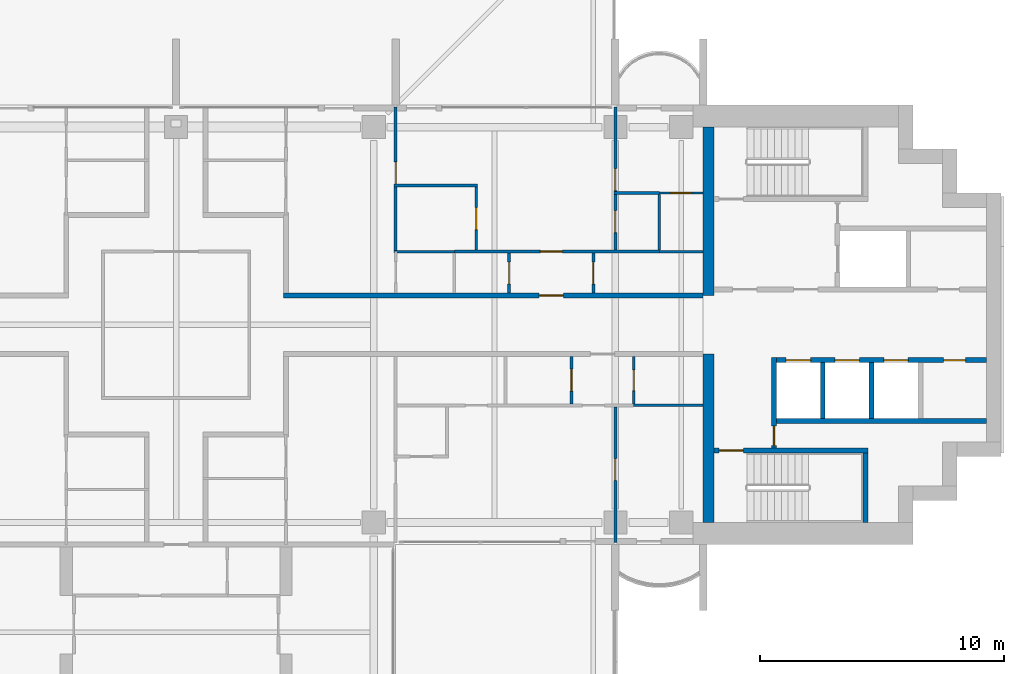
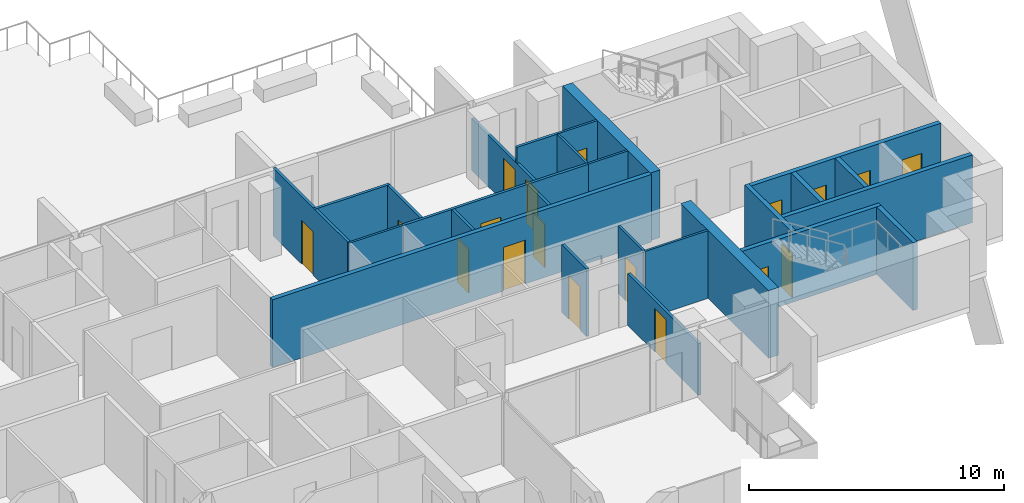
# One storey, part 12 of 18: 26 walls, 18 doors, 18 openings.
"""IFC4 building model written with IfcOpenShell, lengths in metres."""

import ifcopenshell
import ifcopenshell.guid

model = None  # the IFC model being written
_history = None  # IfcOwnerHistory: only IFC2X3 demands one
_inside = {}  # id of a spatial element -> (the spatial element, [elements in it])
_under = {}  # id of a project, library or spatial element -> (it, [spatial elements below it])
_declared = {}  # id of a project -> (the project, [libraries it declares])
_typed = {}  # id of a type object -> (the type object, [elements of that type])
_made_of = {}  # id of a material, layer set ... -> (it, [elements and type objects made of it])


def new_model(schema):
    """Start an empty IFC model of exactly this schema.

    Asked for "IFC4X3", IfcOpenShell would pick the latest addendum, in which some entities
    have other attributes; the version numbers below select the first issue.
    IFC2X3 requires an IfcOwnerHistory on every rooted entity: one is made here for all.
    """
    global model, _history
    if schema == "IFC4X3":
        model = ifcopenshell.file(schema_version=(4, 3, 0, 0))
    else:
        model = ifcopenshell.file(schema=schema)
    _inside.clear()
    _under.clear()
    _declared.clear()
    _typed.clear()
    _made_of.clear()
    _history = None
    if model.schema == "IFC2X3":
        org = make("IfcOrganization", Name="unknown")
        user = make(
            "IfcPersonAndOrganization",
            ThePerson=make("IfcPerson", FamilyName="unknown"),
            TheOrganization=org,
        )
        app = make(
            "IfcApplication",
            ApplicationDeveloper=org,
            Version="unknown",
            ApplicationFullName="unknown",
            ApplicationIdentifier="unknown",
        )
        _history = make(
            "IfcOwnerHistory",
            OwningUser=user,
            OwningApplication=app,
            ChangeAction="ADDED",
            CreationDate=0,
        )
    return model


def make(cls, **values):
    """One entity of the class cls with the attributes given. An attribute that is None is left unset."""
    return model.create_entity(
        cls, **{name: value for name, value in values.items() if value is not None}
    )


def rooted(cls, **values):
    """An entity with a GlobalId (a new one), such as an element, a storey or a relation."""
    return make(cls, GlobalId=ifcopenshell.guid.new(), OwnerHistory=_history, **values)


def si_unit(unit_type, name, prefix=None):
    """IfcSIUnit, for example si_unit("LENGTHUNIT", "METRE", prefix="MILLI")."""
    return make("IfcSIUnit", UnitType=unit_type, Prefix=prefix, Name=name)


def assignment(units):
    """IfcUnitAssignment: the units of a project."""
    return None if units is None else make("IfcUnitAssignment", Units=units)


def point(xyz):
    """IfcCartesianPoint."""
    return None if xyz is None else make("IfcCartesianPoint", Coordinates=xyz)


def direction(xyz):
    """IfcDirection."""
    return None if xyz is None else make("IfcDirection", DirectionRatios=xyz)


def frame(location, z_axis=None, x_axis=None):
    """IfcAxis2Placement3D, a coordinate frame: its origin and axes. An axis left out is left unset."""
    return make(
        "IfcAxis2Placement3D",
        Location=point(location),
        Axis=direction(z_axis),
        RefDirection=direction(x_axis),
    )


def frame_2d(location, x_axis=None):
    """IfcAxis2Placement2D, a coordinate frame in the plane: its origin and x axis."""
    return make(
        "IfcAxis2Placement2D", Location=point(location), RefDirection=direction(x_axis)
    )


def origin():
    """The frame at (0, 0, 0) with its axes left unset."""
    return frame((0.0, 0.0, 0.0))


def place(relative_to, where):
    """IfcLocalPlacement: puts the frame where relative to a parent placement (None: the world)."""
    return make(
        "IfcLocalPlacement", PlacementRelTo=relative_to, RelativePlacement=where
    )


def context(
    kind, dimensions, precision=None, world=None, true_north=None, identifier=None
):
    """IfcGeometricRepresentationContext, for example the 3D "Model" context."""
    return make(
        "IfcGeometricRepresentationContext",
        ContextIdentifier=identifier,
        ContextType=kind,
        CoordinateSpaceDimension=dimensions,
        Precision=precision,
        WorldCoordinateSystem=world,
        TrueNorth=true_north,
    )


def subcontext(parent, identifier, kind, view, scale=None):
    """IfcGeometricRepresentationSubContext, for example "Body" below "Model"."""
    return make(
        "IfcGeometricRepresentationSubContext",
        ContextIdentifier=identifier,
        ContextType=kind,
        ParentContext=parent,
        TargetScale=scale,
        TargetView=view,
    )


def project(units=None, contexts=None):
    """IfcProject with its units and contexts."""
    return rooted(
        "IfcProject",
        Name="project",
        RepresentationContexts=contexts,
        UnitsInContext=assignment(units),
    )


def spatial(cls, under=None, at=None, **own):
    """A site, building, storey or space (cls), placed at a placement, below another one or the project."""
    s = rooted(cls, ObjectPlacement=at, **own)
    if under is not None:
        _under.setdefault(under.id(), (under, []))[1].append(s)
    return s


def profile(cls, at=None, kind="AREA", **sizes):
    """A parametric profile (cls). Its sizes go by their IFC names, for example OverallWidth=200.0."""
    return make(cls, ProfileType=kind, Position=at, **sizes)


def rectangle(**sizes):
    """IfcRectangleProfileDef."""
    return profile("IfcRectangleProfileDef", **sizes)


def extrude(swept, where, along, depth):
    """IfcExtrudedAreaSolid: the profile swept, set in the frame where, extruded along a direction by depth."""
    return make(
        "IfcExtrudedAreaSolid",
        SweptArea=swept,
        Position=where,
        ExtrudedDirection=direction(along),
        Depth=depth,
    )


def shape(context_of_items, identifier, shape_type, items):
    """IfcShapeRepresentation: the items that make up one representation, for example the "Body"."""
    return make(
        "IfcShapeRepresentation",
        ContextOfItems=context_of_items,
        RepresentationIdentifier=identifier,
        RepresentationType=shape_type,
        Items=items,
    )


def material(Name=None, Category=None):
    """IfcMaterial."""
    return make("IfcMaterial", Name=Name, Category=Category)


def layer(
    of_material, thickness, ventilated=None, Name=None, Category=None, Priority=None
):
    """IfcMaterialLayer: one layer of a wall or slab, of a material (None: an air gap)."""
    return make(
        "IfcMaterialLayer",
        Material=of_material,
        LayerThickness=thickness,
        IsVentilated=ventilated,
        Name=Name,
        Category=Category,
        Priority=Priority,
    )


def layer_set(layers, Name=None):
    """IfcMaterialLayerSet."""
    return make("IfcMaterialLayerSet", MaterialLayers=layers, LayerSetName=Name)


def made_of(thing, what):
    """Note that an element or type object is made of a material, layer set ...; save() writes the relation."""
    if what is not None:
        _made_of.setdefault(what.id(), (what, []))[1].append(thing)
    return thing


def type_object(cls, material=None, **own):
    """A type object (cls), such as IfcWallType, which elements share."""
    return made_of(rooted(cls, **own), material)


def element(
    cls,
    number,
    at=None,
    inside=None,
    cuts=None,
    type_object=None,
    material=None,
    context=None,
    identifier="Body",
    shape_type=None,
    held_by="IfcProductDefinitionShape",
    body=None,
    shapes=None,
    **own,
):
    """One element of the class cls, such as IfcWall. Its Tag is "e" and its number.

    at: its placement. inside: the storey or other place that contains it. cuts: it is an
    opening in that element (IfcRelVoidsElement). A single representation is given by context,
    identifier, shape_type and body (its items); several are given by shapes. held_by: the class
    of the entity that holds the representations. save() writes the other relations.
    """
    e = rooted(cls, Tag="e%d" % number, ObjectPlacement=at, **own)
    if body is not None:
        shapes = [shape(context, identifier, shape_type, body)]
    if shapes is not None:
        e.Representation = make(held_by, Representations=shapes)
    if inside is not None:
        _inside.setdefault(inside.id(), (inside, []))[1].append(e)
    if cuts is not None:
        rooted(
            "IfcRelVoidsElement", RelatingBuildingElement=cuts, RelatedOpeningElement=e
        )
    if type_object is not None:
        _typed.setdefault(type_object.id(), (type_object, []))[1].append(e)
    return made_of(e, material)


def fill(opening, filler):
    """IfcRelFillsElement: the door or window that sits in an opening."""
    return rooted(
        "IfcRelFillsElement",
        RelatingOpeningElement=opening,
        RelatedBuildingElement=filler,
    )


def aggregate(whole, parts):
    """IfcRelAggregates: a whole, such as a stair, and the parts it consists of."""
    return rooted("IfcRelAggregates", RelatingObject=whole, RelatedObjects=parts)


def save(model, path):
    """Write the relations noted so far, then the file.

    IfcRelAggregates (storeys below a building ...), IfcRelContainedInSpatialStructure (elements
    in a storey), IfcRelDefinesByType, IfcRelAssociatesMaterial and IfcRelDeclares: one each for
    every whole, place, type object, material and project.
    """
    for whole, parts in _under.values():
        aggregate(whole, parts)
    for where, things in _inside.values():
        rooted(
            "IfcRelContainedInSpatialStructure",
            RelatedElements=things,
            RelatingStructure=where,
        )
    for kind, things in _typed.values():
        rooted("IfcRelDefinesByType", RelatedObjects=things, RelatingType=kind)
    for what, things in _made_of.values():
        rooted("IfcRelAssociatesMaterial", RelatedObjects=things, RelatingMaterial=what)
    for by, libraries in _declared.values():
        rooted("IfcRelDeclares", RelatingContext=by, RelatedDefinitions=libraries)
    model.write(path)


model = new_model("IFC4")

# Units and contexts
model_context = context("Model", 3, precision=1e-05, world=origin(), true_north=direction((0.0, 1.0)))
body_context = subcontext(model_context, "Body", "Model", "MODEL_VIEW")
ifc_project = project(units=[si_unit("LENGTHUNIT", "METRE"), si_unit("AREAUNIT", "SQUARE_METRE"), si_unit("VOLUMEUNIT", "CUBIC_METRE"), si_unit("PLANEANGLEUNIT", "RADIAN"), si_unit("MASSUNIT", "GRAM", prefix="KILO")], contexts=[model_context])

# Site, building, storey
site_placement = place(None, origin())
site = spatial("IfcSite", under=ifc_project, at=site_placement, CompositionType="ELEMENT")
building_placement = place(site_placement, origin())
building = spatial("IfcBuilding", under=site, at=building_placement, Name="Perihelion Cross Residences", CompositionType="ELEMENT")
storey_placement = place(building_placement, frame((0.0, 0.0, 166.60009765625)))
storey = spatial("IfcBuildingStorey", under=building, at=storey_placement, Name="L40", CompositionType="ELEMENT", Elevation=166.60009765625)

# Wall, opening, door
ifc_material_1 = material(Name="Plasterboard partition")
ifc_layer_1 = layer(ifc_material_1, 0.199951171875)
ifc_layer_set_1 = layer_set([ifc_layer_1], Name="Apartment separation wall 200")
wall_type_1 = type_object("IfcWallType", Name="Apartment separation wall 200", PredefinedType="PARTITIONING", material=ifc_layer_set_1)
wall_1_placement = place(storey_placement, frame((4.39990234375, 1.199951171875, 0.0), z_axis=(0.0, 0.0, 1.0), x_axis=(1.0, 0.0, 0.0)))
wall_1 = element("IfcWall", 1, at=wall_1_placement, inside=storey, type_object=wall_type_1, Name="Partition L40 W005", PredefinedType="PARTITIONING", context=body_context, shape_type="SweptSolid", body=[
    extrude(rectangle(XDim=17.2001953125, YDim=0.199951171875, at=frame_2d((8.60009765625, 0.0))), origin(), (0.0, 0.0, 1.0), 3.25),
])
opening_1_placement = place(wall_1_placement, frame((10.47509765625, 0.0, 0.0)))
opening_1 = element("IfcOpeningElement", 2, at=opening_1_placement, cuts=wall_1, Name="Opening L40.A45", PredefinedType="OPENING", context=body_context, shape_type="SweptSolid", body=[
    extrude(rectangle(XDim=1.0, YDim=2.10009765625, at=frame_2d((0.5, 1.050048828125))), frame((0.0, 0.10986328125, 0.0), z_axis=(0.0, -1.0, 0.0), x_axis=(1.0, 0.0, 0.0)), (0.0, 0.0, 1.0), 0.219970703125),
])
ifc_material_2 = material(Name="Timber door leaf", Category="wood")
door_type_1 = type_object("IfcDoorType", Name="Flat entrance door 1000 x 2100", OperationType="SINGLE_SWING_LEFT", PredefinedType="DOOR", material=ifc_material_2)
door_1_placement = place(opening_1_placement, origin())
door_1 = element("IfcDoor", 3, at=door_1_placement, inside=storey, type_object=door_type_1, Name="Door L40.A45", OperationType="SINGLE_SWING_RIGHT", OverallHeight=2.10009765625, OverallWidth=1.0, PredefinedType="DOOR", context=body_context, shape_type="SweptSolid", body=[
    extrude(rectangle(XDim=1.0, YDim=2.10009765625, at=frame_2d((0.5, 1.050048828125))), frame((0.0, 0.02490234375, 0.0), z_axis=(0.0, -1.0, 0.0), x_axis=(1.0, 0.0, 0.0)), (0.0, 0.0, 1.0), 0.050048828125),
])
fill(opening_1, door_1)

# Walls
ifc_material_3 = material(Name="Concrete C60/75", Category="concrete")
ifc_layer_2 = layer(ifc_material_3, 0.449951171875)
ifc_layer_set_2 = layer_set([ifc_layer_2], Name="Core wall, inner 450")
wall_type_2 = type_object("IfcWallType", Name="Core wall, inner 450", PredefinedType="SHEAR", material=ifc_layer_set_2)
for number, where, z_axis, x_axis, name in (
    (4, (21.824951171875, -8.10009765625, 0.0), (0.0, 0.0, 1.0), (0.0, 1.0, 0.0), "East core core wall, inner"),
    (5, (21.824951171875, 1.199951171875, 0.0), (0.0, 0.0, 1.0), (0.0, 1.0, 0.0), "East core core wall, inner"),
):
    element("IfcWall", number, at=place(storey_placement, frame(where, z_axis=z_axis, x_axis=x_axis)), inside=storey, type_object=wall_type_2, Name=name, PredefinedType="SHEAR", context=body_context, shape_type="SweptSolid", body=[
        extrude(rectangle(XDim=6.900146484375, YDim=0.449951171875, at=frame_2d((3.4501953125, 0.0))), origin(), (0.0, 0.0, 1.0), 3.25),
    ])

# Wall, opening, door
ifc_material_4 = material(Name="Concrete C50/60", Category="concrete")
ifc_layer_3 = layer(ifc_material_4, 0.199951171875)
ifc_layer_set_3 = layer_set([ifc_layer_3], Name="Lobby wall 200")
wall_type_3 = type_object("IfcWallType", Name="Lobby wall 200", PredefinedType="SOLIDWALL", material=ifc_layer_set_3)
wall_2_placement = place(storey_placement, frame((24.5, -5.050048828125, 0.0), z_axis=(0.0, 0.0, 1.0), x_axis=(0.0, 1.0, 0.0)))
wall_2 = element("IfcWall", 6, at=wall_2_placement, inside=storey, type_object=wall_type_3, Name="East core lobby wall", PredefinedType="SOLIDWALL", context=body_context, shape_type="SweptSolid", body=[
    extrude(rectangle(XDim=3.699951171875, YDim=0.199951171875, at=frame_2d((1.85009765625, 0.0))), origin(), (0.0, 0.0, 1.0), 3.25),
])
opening_2_placement = place(wall_2_placement, frame((0.10009765625, 0.0, 0.0)))
opening_2 = element("IfcOpeningElement", 7, at=opening_2_placement, cuts=wall_2, Name="Opening L40.C08", PredefinedType="OPENING", context=body_context, shape_type="SweptSolid", body=[
    extrude(rectangle(XDim=0.800048828125, YDim=2.10009765625, at=frame_2d((0.39990234375, 1.050048828125))), frame((0.0, 0.10986328125, 0.0), z_axis=(0.0, -1.0, 0.0), x_axis=(1.0, 0.0, 0.0)), (0.0, 0.0, 1.0), 0.219970703125),
])
ifc_material_5 = material(Name="Steel, powder coated", Category="steel")
door_type_2 = type_object("IfcDoorType", Name="Riser door 800", OperationType="SINGLE_SWING_LEFT", PredefinedType="DOOR", material=ifc_material_5)
door_2_placement = place(opening_2_placement, origin())
door_2 = element("IfcDoor", 8, at=door_2_placement, inside=storey, type_object=door_type_2, Name="East core riser door", OperationType="SINGLE_SWING_LEFT", OverallHeight=2.10009765625, OverallWidth=0.800048828125, PredefinedType="DOOR", context=body_context, shape_type="SweptSolid", body=[
    extrude(rectangle(XDim=0.800048828125, YDim=2.10009765625, at=frame_2d((0.39990234375, 1.050048828125))), frame((0.0, 0.02490234375, 0.0), z_axis=(0.0, -1.0, 0.0), x_axis=(1.0, 0.0, 0.0)), (0.0, 0.0, 1.0), 0.050048828125),
])
fill(opening_2, door_2)

ifc_material_6 = material(Name="Plasterboard partition")
ifc_layer_4 = layer(ifc_material_6, 0.1201171875)
ifc_layer_set_4 = layer_set([ifc_layer_4], Name="Partition wall 120")
wall_type_4 = type_object("IfcWallType", Name="Partition wall 120", PredefinedType="PARTITIONING", material=ifc_layer_set_4)
wall_3_placement = place(storey_placement, frame((13.64990234375, 2.93994140625, 0.0), z_axis=(0.0, 0.0, 1.0), x_axis=(0.0, -1.0, 0.0)))
wall_3 = element("IfcWall", 9, at=wall_3_placement, inside=storey, type_object=wall_type_4, Name="Partition L40 W025", PredefinedType="PARTITIONING", context=body_context, shape_type="SweptSolid", body=[
    extrude(rectangle(XDim=1.639892578125, YDim=0.1201171875, at=frame_2d((0.81982421875, 0.0))), origin(), (0.0, 0.0, 1.0), 3.25),
])
opening_3_placement = place(wall_3_placement, frame((0.3701171875, 0.0, 0.0)))
opening_3 = element("IfcOpeningElement", 10, at=opening_3_placement, cuts=wall_3, Name="Opening L40.A03", PredefinedType="OPENING", context=body_context, shape_type="SweptSolid", body=[
    extrude(rectangle(XDim=0.89990234375, YDim=2.10009765625, at=frame_2d((0.449951171875, 1.050048828125))), frame((0.0, 0.070068359375, 0.0), z_axis=(0.0, -1.0, 0.0), x_axis=(1.0, 0.0, 0.0)), (0.0, 0.0, 1.0), 0.14013671875),
])
ifc_material_7 = material(Name="Timber door leaf", Category="wood")
door_type_3 = type_object("IfcDoorType", Name="Interior room door 900 x 2100", OperationType="SINGLE_SWING_LEFT", PredefinedType="DOOR", material=ifc_material_7)
door_3_placement = place(opening_3_placement, origin())
door_3 = element("IfcDoor", 11, at=door_3_placement, inside=storey, type_object=door_type_3, Name="Door L40.A03", OperationType="SINGLE_SWING_RIGHT", OverallHeight=2.10009765625, OverallWidth=0.89990234375, PredefinedType="DOOR", context=body_context, shape_type="SweptSolid", body=[
    extrude(rectangle(XDim=0.89990234375, YDim=2.10009765625, at=frame_2d((0.449951171875, 1.050048828125))), frame((0.0, 0.02490234375, 0.0), z_axis=(0.0, -1.0, 0.0), x_axis=(1.0, 0.0, 0.0)), (0.0, 0.0, 1.0), 0.050048828125),
])
fill(opening_3, door_3)

wall_4_placement = place(storey_placement, frame((11.39990234375, 3.0, 0.0), z_axis=(0.0, 0.0, 1.0), x_axis=(1.0, 0.0, 0.0)))
wall_4 = element("IfcWall", 12, at=wall_4_placement, inside=storey, type_object=wall_type_4, Name="Partition L40 W026", PredefinedType="PARTITIONING", context=body_context, shape_type="SweptSolid", body=[
    extrude(rectangle(XDim=8.400146484375, YDim=0.1201171875, at=frame_2d((4.2001953125, 0.0))), origin(), (0.0, 0.0, 1.0), 3.25),
])
opening_4_placement = place(wall_4_placement, frame((3.52490234375, 0.0, 0.0)))
opening_4 = element("IfcOpeningElement", 13, at=opening_4_placement, cuts=wall_4, Name="Opening L40.A07", PredefinedType="OPENING", context=body_context, shape_type="SweptSolid", body=[
    extrude(rectangle(XDim=0.89990234375, YDim=2.10009765625, at=frame_2d((0.449951171875, 1.050048828125))), frame((0.0, 0.070068359375, 0.0), z_axis=(0.0, -1.0, 0.0), x_axis=(1.0, 0.0, 0.0)), (0.0, 0.0, 1.0), 0.14013671875),
])
door_4_placement = place(opening_4_placement, origin())
door_4 = element("IfcDoor", 14, at=door_4_placement, inside=storey, type_object=door_type_3, Name="Door L40.A07", OperationType="SINGLE_SWING_LEFT", OverallHeight=2.10009765625, OverallWidth=0.89990234375, PredefinedType="DOOR", context=body_context, shape_type="SweptSolid", body=[
    extrude(rectangle(XDim=0.89990234375, YDim=2.10009765625, at=frame_2d((0.449951171875, 1.050048828125))), frame((0.0, 0.02490234375, 0.0), z_axis=(0.0, -1.0, 0.0), x_axis=(1.0, 0.0, 0.0)), (0.0, 0.0, 1.0), 0.050048828125),
])
fill(opening_4, door_4)

wall_5_placement = place(storey_placement, frame((17.10009765625, 2.93994140625, 0.0), z_axis=(0.0, 0.0, 1.0), x_axis=(0.0, -1.0, 0.0)))
wall_5 = element("IfcWall", 15, at=wall_5_placement, inside=storey, type_object=wall_type_4, Name="Partition L40 W027", PredefinedType="PARTITIONING", context=body_context, shape_type="SweptSolid", body=[
    extrude(rectangle(XDim=1.639892578125, YDim=0.1201171875, at=frame_2d((0.81982421875, 0.0))), origin(), (0.0, 0.0, 1.0), 3.25),
])
opening_5_placement = place(wall_5_placement, frame((0.3701171875, 0.0, 0.0)))
opening_5 = element("IfcOpeningElement", 16, at=opening_5_placement, cuts=wall_5, Name="Opening L40.A04", PredefinedType="OPENING", context=body_context, shape_type="SweptSolid", body=[
    extrude(rectangle(XDim=0.89990234375, YDim=2.10009765625, at=frame_2d((0.449951171875, 1.050048828125))), frame((0.0, 0.070068359375, 0.0), z_axis=(0.0, -1.0, 0.0), x_axis=(1.0, 0.0, 0.0)), (0.0, 0.0, 1.0), 0.14013671875),
])
door_5_placement = place(opening_5_placement, origin())
door_5 = element("IfcDoor", 17, at=door_5_placement, inside=storey, type_object=door_type_3, Name="Door L40.A04", OperationType="SINGLE_SWING_RIGHT", OverallHeight=2.10009765625, OverallWidth=0.89990234375, PredefinedType="DOOR", context=body_context, shape_type="SweptSolid", body=[
    extrude(rectangle(XDim=0.89990234375, YDim=2.10009765625, at=frame_2d((0.449951171875, 1.050048828125))), frame((0.0, 0.02490234375, 0.0), z_axis=(0.0, -1.0, 0.0), x_axis=(1.0, 0.0, 0.0)), (0.0, 0.0, 1.0), 0.050048828125),
])
fill(opening_5, door_5)

wall_6_placement = place(storey_placement, frame((12.300048828125, 3.06005859375, 0.0), z_axis=(0.0, 0.0, 1.0), x_axis=(0.0, 1.0, 0.0)))
wall_6 = element("IfcWall", 18, at=wall_6_placement, inside=storey, type_object=wall_type_4, Name="Partition L40 W029", PredefinedType="PARTITIONING", context=body_context, shape_type="SweptSolid", body=[
    extrude(rectangle(XDim=2.579833984375, YDim=0.1201171875, at=frame_2d((1.2900390625, 0.0))), origin(), (0.0, 0.0, 1.0), 3.25),
])
opening_6_placement = place(wall_6_placement, frame((0.840087890625, 0.0, 0.0)))
opening_6 = element("IfcOpeningElement", 19, at=opening_6_placement, cuts=wall_6, Name="Opening L40.A09", PredefinedType="OPENING", context=body_context, shape_type="SweptSolid", body=[
    extrude(rectangle(XDim=0.89990234375, YDim=2.10009765625, at=frame_2d((0.449951171875, 1.050048828125))), frame((0.0, 0.070068359375, 0.0), z_axis=(0.0, -1.0, 0.0), x_axis=(1.0, 0.0, 0.0)), (0.0, 0.0, 1.0), 0.14013671875),
])
door_6_placement = place(opening_6_placement, origin())
door_6 = element("IfcDoor", 20, at=door_6_placement, inside=storey, type_object=door_type_3, Name="Door L40.A09", OperationType="SINGLE_SWING_LEFT", OverallHeight=2.10009765625, OverallWidth=0.89990234375, PredefinedType="DOOR", context=body_context, shape_type="SweptSolid", body=[
    extrude(rectangle(XDim=0.89990234375, YDim=2.10009765625, at=frame_2d((0.449951171875, 1.050048828125))), frame((0.0, 0.02490234375, 0.0), z_axis=(0.0, -1.0, 0.0), x_axis=(1.0, 0.0, 0.0)), (0.0, 0.0, 1.0), 0.050048828125),
])
fill(opening_6, door_6)

# Wall
wall_7_placement = place(storey_placement, frame((12.360107421875, 5.699951171875, 0.0), z_axis=(0.0, 0.0, 1.0), x_axis=(-1.0, 0.0, 0.0)))
element("IfcWall", 21, at=wall_7_placement, inside=storey, type_object=wall_type_4, Name="Partition L40 W030", PredefinedType="PARTITIONING", context=body_context, shape_type="SweptSolid", body=[
    extrude(rectangle(XDim=3.420166015625, YDim=0.1201171875, at=frame_2d((1.7099609375, 0.0))), origin(), (0.0, 0.0, 1.0), 3.25),
])

# Wall, openings, doors
wall_8_placement = place(storey_placement, frame((18.0, 8.919921875, 0.0), z_axis=(0.0, 0.0, 1.0), x_axis=(0.0, -1.0, 0.0)))
wall_8 = element("IfcWall", 22, at=wall_8_placement, inside=storey, type_object=wall_type_4, Name="Partition L40 W031", PredefinedType="PARTITIONING", context=body_context, shape_type="SweptSolid", body=[
    extrude(rectangle(XDim=5.85986328125, YDim=0.1201171875, at=frame_2d((2.929931640625, 0.0))), origin(), (0.0, 0.0, 1.0), 2.47998046875),
])
opening_7_placement = place(wall_8_placement, frame((2.52001953125, 0.0, 0.0)))
opening_7 = element("IfcOpeningElement", 23, at=opening_7_placement, cuts=wall_8, Name="Opening L40.A02", PredefinedType="OPENING", context=body_context, shape_type="SweptSolid", body=[
    extrude(rectangle(XDim=0.89990234375, YDim=2.10009765625, at=frame_2d((0.449951171875, 1.050048828125))), frame((0.0, 0.070068359375, 0.0), z_axis=(0.0, -1.0, 0.0), x_axis=(1.0, 0.0, 0.0)), (0.0, 0.0, 1.0), 0.14013671875),
])
opening_8_placement = place(wall_8_placement, frame((4.239990234375, 0.0, 0.0)))
opening_8 = element("IfcOpeningElement", 24, at=opening_8_placement, cuts=wall_8, Name="Opening L40.A05", PredefinedType="OPENING", context=body_context, shape_type="SweptSolid", body=[
    extrude(rectangle(XDim=0.89990234375, YDim=2.10009765625, at=frame_2d((0.449951171875, 1.050048828125))), frame((0.0, 0.070068359375, 0.0), z_axis=(0.0, -1.0, 0.0), x_axis=(1.0, 0.0, 0.0)), (0.0, 0.0, 1.0), 0.14013671875),
])
door_7_placement = place(opening_7_placement, origin())
door_7 = element("IfcDoor", 25, at=door_7_placement, inside=storey, type_object=door_type_3, Name="Door L40.A02", OperationType="SINGLE_SWING_LEFT", OverallHeight=2.10009765625, OverallWidth=0.89990234375, PredefinedType="DOOR", context=body_context, shape_type="SweptSolid", body=[
    extrude(rectangle(XDim=0.89990234375, YDim=2.10009765625, at=frame_2d((0.449951171875, 1.050048828125))), frame((0.0, 0.02490234375, 0.0), z_axis=(0.0, -1.0, 0.0), x_axis=(1.0, 0.0, 0.0)), (0.0, 0.0, 1.0), 0.050048828125),
])
fill(opening_7, door_7)
door_8_placement = place(opening_8_placement, origin())
door_8 = element("IfcDoor", 26, at=door_8_placement, inside=storey, type_object=door_type_3, Name="Door L40.A05", OperationType="SINGLE_SWING_RIGHT", OverallHeight=2.10009765625, OverallWidth=0.89990234375, PredefinedType="DOOR", context=body_context, shape_type="SweptSolid", body=[
    extrude(rectangle(XDim=0.89990234375, YDim=2.10009765625, at=frame_2d((0.449951171875, 1.050048828125))), frame((0.0, 0.02490234375, 0.0), z_axis=(0.0, -1.0, 0.0), x_axis=(1.0, 0.0, 0.0)), (0.0, 0.0, 1.0), 0.050048828125),
])
fill(opening_8, door_8)

# Wall, opening, door
wall_9_placement = place(storey_placement, frame((9.0, 3.0, 0.0), z_axis=(0.0, 0.0, 1.0), x_axis=(0.0, 1.0, 0.0)))
wall_9 = element("IfcWall", 27, at=wall_9_placement, inside=storey, type_object=wall_type_4, Name="Partition L40 W032", PredefinedType="PARTITIONING", context=body_context, shape_type="SweptSolid", body=[
    extrude(rectangle(XDim=5.919921875, YDim=0.1201171875, at=frame_2d((2.9599609375, 0.0))), origin(), (0.0, 0.0, 1.0), 3.25),
])
opening_9_placement = place(wall_9_placement, frame((2.77001953125, 0.0, 0.0)))
opening_9 = element("IfcOpeningElement", 28, at=opening_9_placement, cuts=wall_9, Name="Opening L40.A08", PredefinedType="OPENING", context=body_context, shape_type="SweptSolid", body=[
    extrude(rectangle(XDim=0.89990234375, YDim=2.10009765625, at=frame_2d((0.449951171875, 1.050048828125))), frame((0.0, 0.070068359375, 0.0), z_axis=(0.0, -1.0, 0.0), x_axis=(1.0, 0.0, 0.0)), (0.0, 0.0, 1.0), 0.14013671875),
])
door_9_placement = place(opening_9_placement, origin())
door_9 = element("IfcDoor", 29, at=door_9_placement, inside=storey, type_object=door_type_3, Name="Door L40.A08", OperationType="SINGLE_SWING_RIGHT", OverallHeight=2.10009765625, OverallWidth=0.89990234375, PredefinedType="DOOR", context=body_context, shape_type="SweptSolid", body=[
    extrude(rectangle(XDim=0.89990234375, YDim=2.10009765625, at=frame_2d((0.449951171875, 1.050048828125))), frame((0.0, 0.02490234375, 0.0), z_axis=(0.0, -1.0, 0.0), x_axis=(1.0, 0.0, 0.0)), (0.0, 0.0, 1.0), 0.050048828125),
])
fill(opening_9, door_9)

# Wall
wall_10_placement = place(storey_placement, frame((17.93994140625, 5.39990234375, 0.0), z_axis=(0.0, 0.0, 1.0), x_axis=(1.0, 0.0, 0.0)))
element("IfcWall", 30, at=wall_10_placement, inside=storey, type_object=wall_type_4, Name="Partition L40 W034", PredefinedType="PARTITIONING", context=body_context, shape_type="SweptSolid", body=[
    extrude(rectangle(XDim=1.860107421875, YDim=0.1201171875, at=frame_2d((0.93017578125, 0.0))), origin(), (0.0, 0.0, 1.0), 3.25),
])

# Wall, opening, door
wall_11_placement = place(storey_placement, frame((16.199951171875, -1.300048828125, 0.0), z_axis=(0.0, 0.0, 1.0), x_axis=(0.0, -1.0, 0.0)))
wall_11 = element("IfcWall", 31, at=wall_11_placement, inside=storey, type_object=wall_type_4, Name="Partition L40 W042", PredefinedType="PARTITIONING", context=body_context, shape_type="SweptSolid", body=[
    extrude(rectangle(XDim=1.93994140625, YDim=0.1201171875, at=frame_2d((0.969970703125, 0.0))), origin(), (0.0, 0.0, 1.0), 3.25),
])
opening_10_placement = place(wall_11_placement, frame((0.52001953125, 0.0, 0.0)))
opening_10 = element("IfcOpeningElement", 32, at=opening_10_placement, cuts=wall_11, Name="Opening L40.A15", PredefinedType="OPENING", context=body_context, shape_type="SweptSolid", body=[
    extrude(rectangle(XDim=0.89990234375, YDim=2.10009765625, at=frame_2d((0.449951171875, 1.050048828125))), frame((0.0, 0.070068359375, 0.0), z_axis=(0.0, -1.0, 0.0), x_axis=(1.0, 0.0, 0.0)), (0.0, 0.0, 1.0), 0.14013671875),
])
door_10_placement = place(opening_10_placement, origin())
door_10 = element("IfcDoor", 33, at=door_10_placement, inside=storey, type_object=door_type_3, Name="Door L40.A15", OperationType="SINGLE_SWING_RIGHT", OverallHeight=2.10009765625, OverallWidth=0.89990234375, PredefinedType="DOOR", context=body_context, shape_type="SweptSolid", body=[
    extrude(rectangle(XDim=0.89990234375, YDim=2.10009765625, at=frame_2d((0.449951171875, 1.050048828125))), frame((0.0, 0.02490234375, 0.0), z_axis=(0.0, -1.0, 0.0), x_axis=(1.0, 0.0, 0.0)), (0.0, 0.0, 1.0), 0.050048828125),
])
fill(opening_10, door_10)

wall_12_placement = place(storey_placement, frame((18.0, -3.360107421875, 0.0), z_axis=(0.0, 0.0, 1.0), x_axis=(0.0, -1.0, 0.0)))
wall_12 = element("IfcWall", 34, at=wall_12_placement, inside=storey, type_object=wall_type_4, Name="Partition L40 W047", PredefinedType="PARTITIONING", context=body_context, shape_type="SweptSolid", body=[
    extrude(rectangle(XDim=5.559814453125, YDim=0.1201171875, at=frame_2d((2.77978515625, 0.0))), origin(), (0.0, 0.0, 1.0), 2.47998046875),
])
opening_11_placement = place(wall_12_placement, frame((2.1201171875, 0.0, 0.0)))
opening_11 = element("IfcOpeningElement", 35, at=opening_11_placement, cuts=wall_12, Name="Opening L40.A14", PredefinedType="OPENING", context=body_context, shape_type="SweptSolid", body=[
    extrude(rectangle(XDim=0.89990234375, YDim=2.10009765625, at=frame_2d((0.449951171875, 1.050048828125))), frame((0.0, 0.070068359375, 0.0), z_axis=(0.0, -1.0, 0.0), x_axis=(1.0, 0.0, 0.0)), (0.0, 0.0, 1.0), 0.14013671875),
])
door_11_placement = place(opening_11_placement, origin())
door_11 = element("IfcDoor", 36, at=door_11_placement, inside=storey, type_object=door_type_3, Name="Door L40.A14", OperationType="SINGLE_SWING_LEFT", OverallHeight=2.10009765625, OverallWidth=0.89990234375, PredefinedType="DOOR", context=body_context, shape_type="SweptSolid", body=[
    extrude(rectangle(XDim=0.89990234375, YDim=2.10009765625, at=frame_2d((0.449951171875, 1.050048828125))), frame((0.0, 0.02490234375, 0.0), z_axis=(0.0, -1.0, 0.0), x_axis=(1.0, 0.0, 0.0)), (0.0, 0.0, 1.0), 0.050048828125),
])
fill(opening_11, door_11)

# Wall, openings, doors
ifc_material_8 = material(Name="Concrete C50/60", Category="concrete")
ifc_layer_5 = layer(ifc_material_8, 0.199951171875)
ifc_layer_set_5 = layer_set([ifc_layer_5], Name="Shaft wall 200")
wall_type_5 = type_object("IfcWallType", Name="Shaft wall 200", PredefinedType="SOLIDWALL", material=ifc_layer_set_5)
wall_13_placement = place(storey_placement, frame((24.60009765625, -1.449951171875, 0.0), z_axis=(0.0, 0.0, 1.0), x_axis=(1.0, 0.0, 0.0)))
wall_13 = element("IfcWall", 37, at=wall_13_placement, inside=storey, type_object=wall_type_5, Name="East core shaft wall", PredefinedType="SOLIDWALL", context=body_context, shape_type="SweptSolid", body=[
    extrude(rectangle(XDim=8.599853515625, YDim=0.199951171875, at=frame_2d((4.2998046875, 0.0))), origin(), (0.0, 0.0, 1.0), 3.25),
])
opening_12_placement = place(wall_13_placement, frame((0.39990234375, 0.0, 0.0)))
opening_12 = element("IfcOpeningElement", 38, at=opening_12_placement, cuts=wall_13, Name="Opening L40.C01", PredefinedType="OPENING", context=body_context, shape_type="SweptSolid", body=[
    extrude(rectangle(XDim=1.0, YDim=2.10009765625, at=frame_2d((0.5, 1.050048828125))), frame((0.0, 0.10986328125, 0.0), z_axis=(0.0, -1.0, 0.0), x_axis=(1.0, 0.0, 0.0)), (0.0, 0.0, 1.0), 0.219970703125),
])
opening_13_placement = place(wall_13_placement, frame((2.39990234375, 0.0, 0.0)))
opening_13 = element("IfcOpeningElement", 39, at=opening_13_placement, cuts=wall_13, Name="Opening L40.C03", PredefinedType="OPENING", context=body_context, shape_type="SweptSolid", body=[
    extrude(rectangle(XDim=1.0, YDim=2.10009765625, at=frame_2d((0.5, 1.050048828125))), frame((0.0, 0.10986328125, 0.0), z_axis=(0.0, -1.0, 0.0), x_axis=(1.0, 0.0, 0.0)), (0.0, 0.0, 1.0), 0.219970703125),
])
opening_14_placement = place(wall_13_placement, frame((4.39990234375, 0.0, 0.0)))
opening_14 = element("IfcOpeningElement", 40, at=opening_14_placement, cuts=wall_13, Name="Opening L40.C04", PredefinedType="OPENING", context=body_context, shape_type="SweptSolid", body=[
    extrude(rectangle(XDim=1.0, YDim=2.10009765625, at=frame_2d((0.5, 1.050048828125))), frame((0.0, 0.10986328125, 0.0), z_axis=(0.0, -1.0, 0.0), x_axis=(1.0, 0.0, 0.0)), (0.0, 0.0, 1.0), 0.219970703125),
])
opening_15_placement = place(wall_13_placement, frame((6.85009765625, 0.0, 0.0)))
opening_15 = element("IfcOpeningElement", 41, at=opening_15_placement, cuts=wall_13, Name="Opening L40.C12", PredefinedType="OPENING", context=body_context, shape_type="SweptSolid", body=[
    extrude(rectangle(XDim=0.89990234375, YDim=2.10009765625, at=frame_2d((0.449951171875, 1.050048828125))), frame((0.0, 0.10986328125, 0.0), z_axis=(0.0, -1.0, 0.0), x_axis=(1.0, 0.0, 0.0)), (0.0, 0.0, 1.0), 0.219970703125),
])
ifc_material_9 = material(Name="Stainless steel", Category="steel")
door_type_4 = type_object("IfcDoorType", Name="Landing door 1000", OperationType="DOUBLE_DOOR_SLIDING", PredefinedType="DOOR", material=ifc_material_9)
door_12_placement = place(opening_12_placement, origin())
door_12 = element("IfcDoor", 42, at=door_12_placement, inside=storey, type_object=door_type_4, Name="Landing door, East core high-rise lift 1", OperationType="DOUBLE_DOOR_SLIDING", OverallHeight=2.10009765625, OverallWidth=1.0, PredefinedType="DOOR", context=body_context, shape_type="SweptSolid", body=[
    extrude(rectangle(XDim=1.0, YDim=2.10009765625, at=frame_2d((0.5, 1.050048828125))), frame((0.0, 0.02490234375, 0.0), z_axis=(0.0, -1.0, 0.0), x_axis=(1.0, 0.0, 0.0)), (0.0, 0.0, 1.0), 0.050048828125),
])
fill(opening_12, door_12)
door_13_placement = place(opening_13_placement, origin())
door_13 = element("IfcDoor", 43, at=door_13_placement, inside=storey, type_object=door_type_4, Name="Landing door, East core high-rise lift 2", OperationType="DOUBLE_DOOR_SLIDING", OverallHeight=2.10009765625, OverallWidth=1.0, PredefinedType="DOOR", context=body_context, shape_type="SweptSolid", body=[
    extrude(rectangle(XDim=1.0, YDim=2.10009765625, at=frame_2d((0.5, 1.050048828125))), frame((0.0, 0.02490234375, 0.0), z_axis=(0.0, -1.0, 0.0), x_axis=(1.0, 0.0, 0.0)), (0.0, 0.0, 1.0), 0.050048828125),
])
fill(opening_13, door_13)
door_14_placement = place(opening_14_placement, origin())
door_14 = element("IfcDoor", 44, at=door_14_placement, inside=storey, type_object=door_type_4, Name="Landing door, East core high-rise lift 3", OperationType="DOUBLE_DOOR_SLIDING", OverallHeight=2.10009765625, OverallWidth=1.0, PredefinedType="DOOR", context=body_context, shape_type="SweptSolid", body=[
    extrude(rectangle(XDim=1.0, YDim=2.10009765625, at=frame_2d((0.5, 1.050048828125))), frame((0.0, 0.02490234375, 0.0), z_axis=(0.0, -1.0, 0.0), x_axis=(1.0, 0.0, 0.0)), (0.0, 0.0, 1.0), 0.050048828125),
])
fill(opening_14, door_14)
ifc_material_10 = material(Name="Steel, powder coated", Category="steel")
door_type_5 = type_object("IfcDoorType", Name="Service room door 900", OperationType="SINGLE_SWING_LEFT", PredefinedType="DOOR", material=ifc_material_10)
door_15_placement = place(opening_15_placement, origin())
door_15 = element("IfcDoor", 45, at=door_15_placement, inside=storey, type_object=door_type_5, Name="East core service room door", OperationType="SINGLE_SWING_LEFT", OverallHeight=2.10009765625, OverallWidth=0.89990234375, PredefinedType="DOOR", context=body_context, shape_type="SweptSolid", body=[
    extrude(rectangle(XDim=0.89990234375, YDim=2.10009765625, at=frame_2d((0.449951171875, 1.050048828125))), frame((0.0, 0.02490234375, 0.0), z_axis=(0.0, -1.0, 0.0), x_axis=(1.0, 0.0, 0.0)), (0.0, 0.0, 1.0), 0.050048828125),
])
fill(opening_15, door_15)

# Walls
wall_14_placement = place(storey_placement, frame((24.60009765625, -3.949951171875, 0.0), z_axis=(0.0, 0.0, 1.0), x_axis=(1.0, 0.0, 0.0)))
element("IfcWall", 46, at=wall_14_placement, inside=storey, type_object=wall_type_5, Name="East core shaft wall", PredefinedType="SOLIDWALL", context=body_context, shape_type="SweptSolid", body=[
    extrude(rectangle(XDim=8.599853515625, YDim=0.199951171875, at=frame_2d((4.2998046875, 0.0))), origin(), (0.0, 0.0, 1.0), 3.25),
])
for number, where, z_axis, x_axis, name in (
    (47, (26.5, -3.85009765625, 0.0), (0.0, 0.0, 1.0), (0.0, 1.0, 0.0), "East core shaft wall"),
    (48, (28.5, -3.85009765625, 0.0), (0.0, 0.0, 1.0), (0.0, 1.0, 0.0), "East core shaft wall"),
):
    element("IfcWall", number, at=place(storey_placement, frame(where, z_axis=z_axis, x_axis=x_axis)), inside=storey, type_object=wall_type_5, Name=name, PredefinedType="SOLIDWALL", context=body_context, shape_type="SweptSolid", body=[
        extrude(rectangle(XDim=2.300048828125, YDim=0.199951171875, at=frame_2d((1.14990234375, 0.0))), origin(), (0.0, 0.0, 1.0), 3.25),
    ])

# Wall, opening, door
ifc_material_11 = material(Name="Concrete C50/60", Category="concrete")
ifc_layer_6 = layer(ifc_material_11, 0.199951171875)
ifc_layer_set_6 = layer_set([ifc_layer_6], Name="Stair wall 200")
wall_type_6 = type_object("IfcWallType", Name="Stair wall 200", PredefinedType="SOLIDWALL", material=ifc_layer_set_6)
wall_15_placement = place(storey_placement, frame((22.050048828125, -5.14990234375, 0.0), z_axis=(0.0, 0.0, 1.0), x_axis=(1.0, 0.0, 0.0)))
wall_15 = element("IfcWall", 49, at=wall_15_placement, inside=storey, type_object=wall_type_6, Name="East core stair wall", PredefinedType="SOLIDWALL", context=body_context, shape_type="SweptSolid", body=[
    extrude(rectangle(XDim=6.300048828125, YDim=0.199951171875, at=frame_2d((3.14990234375, 0.0))), origin(), (0.0, 0.0, 1.0), 3.25),
])
opening_16_placement = place(wall_15_placement, frame((0.199951171875, 0.0, 0.0)))
opening_16 = element("IfcOpeningElement", 50, at=opening_16_placement, cuts=wall_15, Name="Opening L40.C05", PredefinedType="OPENING", context=body_context, shape_type="SweptSolid", body=[
    extrude(rectangle(XDim=1.0, YDim=2.10009765625, at=frame_2d((0.5, 1.050048828125))), frame((0.0, 0.10986328125, 0.0), z_axis=(0.0, -1.0, 0.0), x_axis=(1.0, 0.0, 0.0)), (0.0, 0.0, 1.0), 0.219970703125),
])
ifc_material_12 = material(Name="Steel, powder coated", Category="steel")
door_type_6 = type_object("IfcDoorType", Name="Stair door 1000", OperationType="SINGLE_SWING_LEFT", PredefinedType="DOOR", material=ifc_material_12)
door_16_placement = place(opening_16_placement, origin())
door_16 = element("IfcDoor", 51, at=door_16_placement, inside=storey, type_object=door_type_6, Name="East core stair door", OperationType="SINGLE_SWING_LEFT", OverallHeight=2.10009765625, OverallWidth=1.0, PredefinedType="DOOR", context=body_context, shape_type="SweptSolid", body=[
    extrude(rectangle(XDim=1.0, YDim=2.10009765625, at=frame_2d((0.5, 1.050048828125))), frame((0.0, 0.02490234375, 0.0), z_axis=(0.0, -1.0, 0.0), x_axis=(1.0, 0.0, 0.0)), (0.0, 0.0, 1.0), 0.050048828125),
])
fill(opening_16, door_16)

# Walls
wall_16_placement = place(storey_placement, frame((28.25, -8.10009765625, 0.0), z_axis=(0.0, 0.0, 1.0), x_axis=(0.0, 1.0, 0.0)))
element("IfcWall", 52, at=wall_16_placement, inside=storey, type_object=wall_type_6, Name="East core stair wall", PredefinedType="SOLIDWALL", context=body_context, shape_type="SweptSolid", body=[
    extrude(rectangle(XDim=2.85009765625, YDim=0.199951171875, at=frame_2d((1.425048828125, 0.0))), origin(), (0.0, 0.0, 1.0), 3.25),
])
ifc_material_13 = material(Name="Plasterboard partition")
ifc_layer_7 = layer(ifc_material_13, 0.10009765625)
ifc_layer_set_7 = layer_set([ifc_layer_7], Name="Wet room wall 100")
wall_type_7 = type_object("IfcWallType", Name="Wet room wall 100", PredefinedType="PARTITIONING", material=ifc_layer_set_7)
wall_17_placement = place(storey_placement, frame((8.93994140625, 3.0, 0.0), z_axis=(0.0, 0.0, 1.0), x_axis=(1.0, 0.0, 0.0)))
element("IfcWall", 53, at=wall_17_placement, inside=storey, type_object=wall_type_7, Name="Partition L40 W023", PredefinedType="PARTITIONING", context=body_context, shape_type="SweptSolid", body=[
    extrude(rectangle(XDim=2.4599609375, YDim=0.10009765625, at=frame_2d((1.22998046875, 0.0))), origin(), (0.0, 0.0, 1.0), 3.25),
])
wall_18_placement = place(storey_placement, frame((19.800048828125, 3.0, 0.0), z_axis=(0.0, 0.0, 1.0), x_axis=(1.0, 0.0, 0.0)))
element("IfcWall", 54, at=wall_18_placement, inside=storey, type_object=wall_type_7, Name="Partition L40 W028", PredefinedType="PARTITIONING", context=body_context, shape_type="SweptSolid", body=[
    extrude(rectangle(XDim=1.800048828125, YDim=0.10009765625, at=frame_2d((0.89990234375, 0.0))), origin(), (0.0, 0.0, 1.0), 3.25),
])
wall_19_placement = place(storey_placement, frame((19.800048828125, 5.340087890625, 0.0), z_axis=(0.0, 0.0, 1.0), x_axis=(0.0, -1.0, 0.0)))
element("IfcWall", 55, at=wall_19_placement, inside=storey, type_object=wall_type_7, Name="Partition L40 W033", PredefinedType="PARTITIONING", context=body_context, shape_type="SweptSolid", body=[
    extrude(rectangle(XDim=2.280029296875, YDim=0.10009765625, at=frame_2d((1.14013671875, 0.0))), origin(), (0.0, 0.0, 1.0), 3.25),
])

# Wall, opening, door
wall_20_placement = place(storey_placement, frame((19.800048828125, 5.39990234375, 0.0), z_axis=(0.0, 0.0, 1.0), x_axis=(1.0, 0.0, 0.0)))
wall_20 = element("IfcWall", 56, at=wall_20_placement, inside=storey, type_object=wall_type_7, Name="Partition L40 W035", PredefinedType="PARTITIONING", context=body_context, shape_type="SweptSolid", body=[
    extrude(rectangle(XDim=1.800048828125, YDim=0.10009765625, at=frame_2d((0.89990234375, 0.0))), origin(), (0.0, 0.0, 1.0), 3.25),
])
opening_17_placement = place(wall_20_placement, frame((0.47509765625, 0.0, 0.0)))
opening_17 = element("IfcOpeningElement", 57, at=opening_17_placement, cuts=wall_20, Name="Opening L40.A10", PredefinedType="OPENING", context=body_context, shape_type="SweptSolid", body=[
    extrude(rectangle(XDim=0.85009765625, YDim=2.10009765625, at=frame_2d((0.425048828125, 1.050048828125))), frame((0.0, 0.06005859375, 0.0), z_axis=(0.0, -1.0, 0.0), x_axis=(1.0, 0.0, 0.0)), (0.0, 0.0, 1.0), 0.1201171875),
])
ifc_material_14 = material(Name="Timber door leaf", Category="wood")
door_type_7 = type_object("IfcDoorType", Name="Interior bathroom door 850 x 2100", OperationType="SINGLE_SWING_LEFT", PredefinedType="DOOR", material=ifc_material_14)
door_17_placement = place(opening_17_placement, origin())
door_17 = element("IfcDoor", 58, at=door_17_placement, inside=storey, type_object=door_type_7, Name="Door L40.A10", OperationType="SINGLE_SWING_RIGHT", OverallHeight=2.10009765625, OverallWidth=0.85009765625, PredefinedType="DOOR", context=body_context, shape_type="SweptSolid", body=[
    extrude(rectangle(XDim=0.85009765625, YDim=2.10009765625, at=frame_2d((0.425048828125, 1.050048828125))), frame((0.0, 0.02490234375, 0.0), z_axis=(0.0, -1.0, 0.0), x_axis=(1.0, 0.0, 0.0)), (0.0, 0.0, 1.0), 0.050048828125),
])
fill(opening_17, door_17)

wall_21_placement = place(storey_placement, frame((18.75, -1.300048828125, 0.0), z_axis=(0.0, 0.0, 1.0), x_axis=(0.0, -1.0, 0.0)))
wall_21 = element("IfcWall", 59, at=wall_21_placement, inside=storey, type_object=wall_type_7, Name="Partition L40 W043", PredefinedType="PARTITIONING", context=body_context, shape_type="SweptSolid", body=[
    extrude(rectangle(XDim=1.93994140625, YDim=0.10009765625, at=frame_2d((0.969970703125, 0.0))), origin(), (0.0, 0.0, 1.0), 3.25),
])
opening_18_placement = place(wall_21_placement, frame((0.544921875, 0.0, 0.0)))
opening_18 = element("IfcOpeningElement", 60, at=opening_18_placement, cuts=wall_21, Name="Opening L40.A13", PredefinedType="OPENING", context=body_context, shape_type="SweptSolid", body=[
    extrude(rectangle(XDim=0.85009765625, YDim=2.10009765625, at=frame_2d((0.425048828125, 1.050048828125))), frame((0.0, 0.06005859375, 0.0), z_axis=(0.0, -1.0, 0.0), x_axis=(1.0, 0.0, 0.0)), (0.0, 0.0, 1.0), 0.1201171875),
])
door_18_placement = place(opening_18_placement, origin())
door_18 = element("IfcDoor", 61, at=door_18_placement, inside=storey, type_object=door_type_7, Name="Door L40.A13", OperationType="SINGLE_SWING_LEFT", OverallHeight=2.10009765625, OverallWidth=0.85009765625, PredefinedType="DOOR", context=body_context, shape_type="SweptSolid", body=[
    extrude(rectangle(XDim=0.85009765625, YDim=2.10009765625, at=frame_2d((0.425048828125, 1.050048828125))), frame((0.0, 0.02490234375, 0.0), z_axis=(0.0, -1.0, 0.0), x_axis=(1.0, 0.0, 0.0)), (0.0, 0.0, 1.0), 0.050048828125),
])
fill(opening_18, door_18)

# Wall
wall_22_placement = place(storey_placement, frame((21.60009765625, -3.300048828125, 0.0), z_axis=(0.0, 0.0, 1.0), x_axis=(-1.0, 0.0, 0.0)))
element("IfcWall", 62, at=wall_22_placement, inside=storey, type_object=wall_type_7, Name="Partition L40 W044", PredefinedType="PARTITIONING", context=body_context, shape_type="SweptSolid", body=[
    extrude(rectangle(XDim=2.85009765625, YDim=0.10009765625, at=frame_2d((1.425048828125, 0.0))), origin(), (0.0, 0.0, 1.0), 3.25),
])

save(model, "model.ifc")
